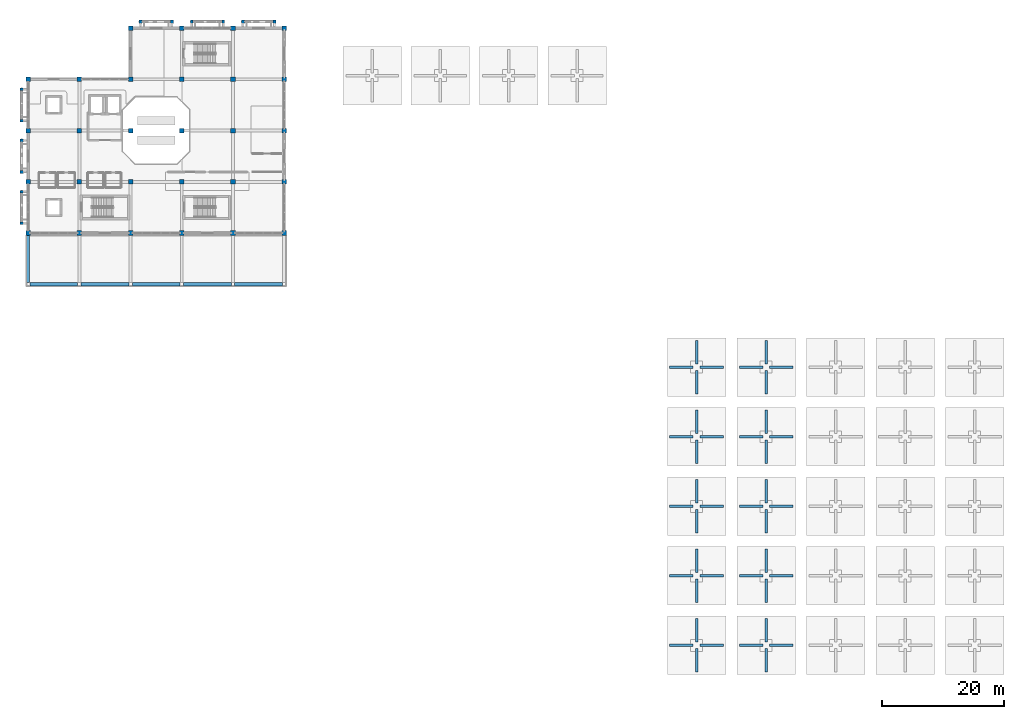
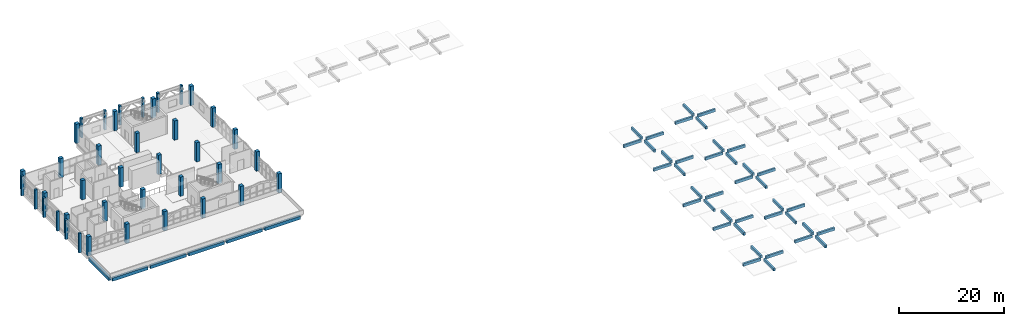
# One storey, part 1 of 30: 46 beams, 40 columns.
"""IFC4 building model written with IfcOpenShell, lengths in metres."""

from ifc_helpers import new_model, si_unit, direction, frame, origin, origin_2d, place, context, subcontext, project, spatial, rectangle, extrude, material, material_profile, profile_set, type_object, element, save


model = new_model("IFC4")

# Units and contexts
model_context = context("Model", 3, precision=1e-05, world=origin(), true_north=direction((0.0, 1.0)))
body_context = subcontext(model_context, "Body", "Model", "MODEL_VIEW")
ifc_project = project(units=[si_unit("LENGTHUNIT", "METRE"), si_unit("AREAUNIT", "SQUARE_METRE"), si_unit("VOLUMEUNIT", "CUBIC_METRE"), si_unit("PLANEANGLEUNIT", "RADIAN"), si_unit("MASSUNIT", "GRAM", prefix="KILO")], contexts=[model_context])

# Site, building, storey
site_placement = place(None, origin())
site = spatial("IfcSite", under=ifc_project, at=site_placement, CompositionType="ELEMENT")
building_placement = place(site_placement, origin())
building = spatial("IfcBuilding", under=site, at=building_placement, Name="Xazarin Passage Department Store", CompositionType="ELEMENT")
storey_placement = place(building_placement, frame((0.0, 0.0, 23.39990234375)))
storey = spatial("IfcBuildingStorey", under=building, at=storey_placement, Name="L05", CompositionType="ELEMENT", Elevation=23.39990234375)

# Columns
ifc_material_1 = material(Name="Concrete C40/50", Category="concrete")
ifc_material_profile_1 = material_profile(ifc_material_1, rectangle(XDim=0.75, YDim=0.75, at=origin_2d()), Name="RC 750x750")
ifc_profile_set_1 = profile_set([ifc_material_profile_1], Name="Concrete C40/50")
column_type_1 = type_object("IfcColumnType", Name="STR-COL-RC750", PredefinedType="COLUMN", material=ifc_profile_set_1)
for number, where, z_axis, x_axis, name in (
    (1, (0.0, 76.39990234375, 0.0), (0.0, 0.0, 1.0), (1.0, 0.0, 0.0), "L05 Column 1/L"),
    (2, (8.39990234375, 76.39990234375, 0.0), (0.0, 0.0, 1.0), (1.0, 0.0, 0.0), "L05 Column 2/L"),
    (3, (16.800048828125, 76.39990234375, 0.0), (0.0, 0.0, 1.0), (1.0, 0.0, 0.0), "L05 Column 3/L"),
    (4, (25.199951171875, 76.39990234375, 0.0), (0.0, 0.0, 1.0), (1.0, 0.0, 0.0), "L05 Column 4/L"),
    (5, (33.60009765625, 76.39990234375, 0.0), (0.0, 0.0, 1.0), (1.0, 0.0, 0.0), "L05 Column 5/L"),
    (6, (42.0, 76.39990234375, 0.0), (0.0, 0.0, 1.0), (1.0, 0.0, 0.0), "L05 Column 6/L"),
    (7, (0.0, 84.800048828125, 0.0), (0.0, 0.0, 1.0), (1.0, 0.0, 0.0), "L05 Column 1/M"),
    (8, (8.39990234375, 84.800048828125, 0.0), (0.0, 0.0, 1.0), (1.0, 0.0, 0.0), "L05 Column 2/M"),
    (9, (16.800048828125, 84.800048828125, 0.0), (0.0, 0.0, 1.0), (1.0, 0.0, 0.0), "L05 Column 3/M"),
    (10, (25.199951171875, 84.800048828125, 0.0), (0.0, 0.0, 1.0), (1.0, 0.0, 0.0), "L05 Column 4/M"),
    (11, (33.60009765625, 84.800048828125, 0.0), (0.0, 0.0, 1.0), (1.0, 0.0, 0.0), "L05 Column 5/M"),
    (12, (42.0, 84.800048828125, 0.0), (0.0, 0.0, 1.0), (1.0, 0.0, 0.0), "L05 Column 6/M"),
    (13, (0.0, 93.199951171875, 0.0), (0.0, 0.0, 1.0), (1.0, 0.0, 0.0), "L05 Column 1/N"),
    (14, (8.39990234375, 93.199951171875, 0.0), (0.0, 0.0, 1.0), (1.0, 0.0, 0.0), "L05 Column 2/N"),
    (15, (16.800048828125, 93.199951171875, 0.0), (0.0, 0.0, 1.0), (1.0, 0.0, 0.0), "L05 Column 3/N"),
    (16, (25.199951171875, 93.199951171875, 0.0), (0.0, 0.0, 1.0), (1.0, 0.0, 0.0), "L05 Column 4/N"),
    (17, (33.60009765625, 93.199951171875, 0.0), (0.0, 0.0, 1.0), (1.0, 0.0, 0.0), "L05 Column 5/N"),
    (18, (42.0, 93.199951171875, 0.0), (0.0, 0.0, 1.0), (1.0, 0.0, 0.0), "L05 Column 6/N"),
    (19, (0.0, 101.60009765625, 0.0), (0.0, 0.0, 1.0), (1.0, 0.0, 0.0), "L05 Column 1/P"),
    (20, (8.39990234375, 101.60009765625, 0.0), (0.0, 0.0, 1.0), (1.0, 0.0, 0.0), "L05 Column 2/P"),
    (21, (16.800048828125, 101.60009765625, 0.0), (0.0, 0.0, 1.0), (1.0, 0.0, 0.0), "L05 Column 3/P"),
    (22, (25.199951171875, 101.60009765625, 0.0), (0.0, 0.0, 1.0), (1.0, 0.0, 0.0), "L05 Column 4/P"),
    (23, (33.60009765625, 101.60009765625, 0.0), (0.0, 0.0, 1.0), (1.0, 0.0, 0.0), "L05 Column 5/P"),
    (24, (42.0, 101.60009765625, 0.0), (0.0, 0.0, 1.0), (1.0, 0.0, 0.0), "L05 Column 6/P"),
    (25, (16.800048828125, 110.0, 0.0), (0.0, 0.0, 1.0), (1.0, 0.0, 0.0), "L05 Column 3/Q"),
    (26, (25.199951171875, 110.0, 0.0), (0.0, 0.0, 1.0), (1.0, 0.0, 0.0), "L05 Column 4/Q"),
    (27, (33.60009765625, 110.0, 0.0), (0.0, 0.0, 1.0), (1.0, 0.0, 0.0), "L05 Column 5/Q"),
    (28, (42.0, 110.0, 0.0), (0.0, 0.0, 1.0), (1.0, 0.0, 0.0), "L05 Column 6/Q"),
):
    element("IfcColumn", number, at=place(storey_placement, frame(where, z_axis=z_axis, x_axis=x_axis)), inside=storey, type_object=column_type_1, Name=name, PredefinedType="COLUMN", context=body_context, shape_type="SweptSolid", body=[
        extrude(rectangle(XDim=0.75, YDim=0.75, at=origin_2d()), origin(), (0.0, 0.0, 1.0), 4.5),
    ])
ifc_material_profile_2 = material_profile(ifc_material_1, rectangle(XDim=0.449951171875, YDim=0.550048828125, at=origin_2d()), Name="RC 450x550")
ifc_profile_set_2 = profile_set([ifc_material_profile_2], Name="Concrete C40/50")
column_type_2 = type_object("IfcColumnType", Name="STR-PIL-RC450", PredefinedType="PILASTER", material=ifc_profile_set_2)
for number, where, z_axis, x_axis, name in (
    (29, (18.419921875, 111.050048828125, 0.0), (0.0, 0.0, 1.0), (1.0, 0.0, 0.0), "L05 V1 Pierced-Arch Colonnade Pier 001L"),
    (30, (23.580078125, 111.050048828125, 0.0), (0.0, 0.0, 1.0), (1.0, 0.0, 0.0), "L05 V1 Pierced-Arch Colonnade Pier 001R"),
    (31, (26.820068359375, 111.050048828125, 0.0), (0.0, 0.0, 1.0), (1.0, 0.0, 0.0), "L05 V1 Pierced-Arch Colonnade Pier 002L"),
    (32, (31.97998046875, 111.050048828125, 0.0), (0.0, 0.0, 1.0), (1.0, 0.0, 0.0), "L05 V1 Pierced-Arch Colonnade Pier 002R"),
    (33, (35.219970703125, 111.050048828125, 0.0), (0.0, 0.0, 1.0), (1.0, 0.0, 0.0), "L05 V1 Pierced-Arch Colonnade Pier 003L"),
    (34, (40.3798828125, 111.050048828125, 0.0), (0.0, 0.0, 1.0), (1.0, 0.0, 0.0), "L05 V1 Pierced-Arch Colonnade Pier 003R"),
    (35, (-1.050048828125, 78.02001953125, 0.0), (0.0, 0.0, 1.0), (0.0, 1.0, 0.0), "L05 V1 Pierced-Arch Colonnade Pier 011L"),
    (36, (-1.050048828125, 83.179931640625, 0.0), (0.0, 0.0, 1.0), (0.0, 1.0, 0.0), "L05 V1 Pierced-Arch Colonnade Pier 011R"),
    (37, (-1.050048828125, 86.419921875, 0.0), (0.0, 0.0, 1.0), (0.0, 1.0, 0.0), "L05 V1 Pierced-Arch Colonnade Pier 012L"),
    (38, (-1.050048828125, 91.580078125, 0.0), (0.0, 0.0, 1.0), (0.0, 1.0, 0.0), "L05 V1 Pierced-Arch Colonnade Pier 012R"),
    (39, (-1.050048828125, 94.820068359375, 0.0), (0.0, 0.0, 1.0), (0.0, 1.0, 0.0), "L05 V1 Pierced-Arch Colonnade Pier 013L"),
    (40, (-1.050048828125, 99.97998046875, 0.0), (0.0, 0.0, 1.0), (0.0, 1.0, 0.0), "L05 V1 Pierced-Arch Colonnade Pier 013R"),
):
    element("IfcColumn", number, at=place(storey_placement, frame(where, z_axis=z_axis, x_axis=x_axis)), inside=storey, type_object=column_type_2, Name=name, PredefinedType="PILASTER", context=body_context, shape_type="SweptSolid", body=[
        extrude(rectangle(XDim=0.449951171875, YDim=0.550048828125, at=origin_2d()), origin(), (0.0, 0.0, 1.0), 4.5),
    ])

# Beams
ifc_material_2 = material(Name="Concrete C35/45", Category="concrete")
ifc_material_profile_3 = material_profile(ifc_material_2, rectangle(XDim=0.5, YDim=0.75, at=origin_2d()), Name="RC 500x750")
ifc_profile_set_3 = profile_set([ifc_material_profile_3], Name="Concrete C35/45")
beam_type_1 = type_object("IfcBeamType", Name="STR-BM-SP500x750", PredefinedType="SPANDREL", material=ifc_profile_set_3)
for number, where, z_axis, x_axis, name in (
    (41, (0.280029296875, 68.0, -0.6748046875), (1.0, 0.0, 0.0), (0.0, 1.0, 0.0), "L05 Grid Beam K/1-2"),
    (42, (8.679931640625, 68.0, -0.6748046875), (1.0, 0.0, 0.0), (0.0, 1.0, 0.0), "L05 Grid Beam K/2-3"),
):
    element("IfcBeam", number, at=place(storey_placement, frame(where, z_axis=z_axis, x_axis=x_axis)), inside=storey, type_object=beam_type_1, Name=name, PredefinedType="SPANDREL", context=body_context, shape_type="SweptSolid", body=[
        extrude(rectangle(XDim=0.5, YDim=0.75, at=origin_2d()), origin(), (0.0, 0.0, 1.0), 7.840087890625),
    ])
beam_1_placement = place(storey_placement, frame((17.080078125, 68.0, -0.6748046875), z_axis=(1.0, 0.0, 0.0), x_axis=(0.0, 1.0, 0.0)))
element("IfcBeam", 43, at=beam_1_placement, inside=storey, type_object=beam_type_1, Name="L05 Grid Beam K/3-4", PredefinedType="SPANDREL", context=body_context, shape_type="SweptSolid", body=[
    extrude(rectangle(XDim=0.5, YDim=0.75, at=origin_2d()), origin(), (0.0, 0.0, 1.0), 7.83984375),
])
for number, where, z_axis, x_axis, name in (
    (44, (25.47998046875, 68.0, -0.6748046875), (1.0, 0.0, 0.0), (0.0, 1.0, 0.0), "L05 Grid Beam K/4-5"),
    (45, (33.8798828125, 68.0, -0.6748046875), (1.0, 0.0, 0.0), (0.0, 1.0, 0.0), "L05 Grid Beam K/5-6"),
    (46, (0.0, 68.280029296875, -0.6748046875), (0.0, 1.0, 0.0), (-1.0, 0.0, 0.0), "L05 Grid Beam 1/K-L"),
):
    element("IfcBeam", number, at=place(storey_placement, frame(where, z_axis=z_axis, x_axis=x_axis)), inside=storey, type_object=beam_type_1, Name=name, PredefinedType="SPANDREL", context=body_context, shape_type="SweptSolid", body=[
        extrude(rectangle(XDim=0.5, YDim=0.75, at=origin_2d()), origin(), (0.0, 0.0, 1.0), 7.840087890625),
    ])
ifc_material_profile_4 = material_profile(ifc_material_1, rectangle(XDim=0.39990234375, YDim=0.64990234375, at=origin_2d()), Name="RC 400x650")
ifc_profile_set_4 = profile_set([ifc_material_profile_4], Name="Concrete C40/50")
beam_type_2 = type_object("IfcBeamType", Name="STR-BM-UMB400x650", PredefinedType="BEAM", material=ifc_profile_set_4)
for number, where, z_axis, x_axis, name in (
    (47, (110.14990234375, 8.800048828125, 1.85498046875), (1.0, 0.0, 0.0), (0.0, 1.0, 0.0), "Umbrella UM5 Cantilever Rib E"),
    (48, (109.050048828125, 8.800048828125, 1.85498046875), (-1.0, 0.0, 0.0), (0.0, -1.0, 0.0), "Umbrella UM5 Cantilever Rib W"),
):
    element("IfcBeam", number, at=place(storey_placement, frame(where, z_axis=z_axis, x_axis=x_axis)), inside=storey, type_object=beam_type_2, Name=name, PredefinedType="BEAM", context=body_context, shape_type="SweptSolid", body=[
        extrude(rectangle(XDim=0.39990234375, YDim=0.64990234375, at=origin_2d()), origin(), (0.0, 0.0, 1.0), 3.85009765625),
    ])
beam_2_placement = place(storey_placement, frame((109.60009765625, 9.35009765625, 1.85498046875), z_axis=(0.0, 1.0, 0.0), x_axis=(-1.0, 0.0, 0.0)))
element("IfcBeam", 49, at=beam_2_placement, inside=storey, type_object=beam_type_2, Name="Umbrella UM5 Cantilever Rib N", PredefinedType="BEAM", context=body_context, shape_type="SweptSolid", body=[
    extrude(rectangle(XDim=0.39990234375, YDim=0.64990234375, at=origin_2d()), origin(), (0.0, 0.0, 1.0), 3.849853515625),
])
beam_3_placement = place(storey_placement, frame((109.60009765625, 8.25, 1.85498046875), z_axis=(0.0, -1.0, 0.0), x_axis=(1.0, 0.0, 0.0)))
element("IfcBeam", 50, at=beam_3_placement, inside=storey, type_object=beam_type_2, Name="Umbrella UM5 Cantilever Rib S", PredefinedType="BEAM", context=body_context, shape_type="SweptSolid", body=[
    extrude(rectangle(XDim=0.39990234375, YDim=0.64990234375, at=origin_2d()), origin(), (0.0, 0.0, 1.0), 3.85009765625),
])
for number, where, z_axis, x_axis, name in (
    (51, (121.550048828125, 8.800048828125, 3.255126953125), (1.0, 0.0, 0.0), (0.0, 1.0, 0.0), "Umbrella UM6 Cantilever Rib E"),
    (52, (120.449951171875, 8.800048828125, 3.255126953125), (-1.0, 0.0, 0.0), (0.0, -1.0, 0.0), "Umbrella UM6 Cantilever Rib W"),
    (53, (121.0, 9.35009765625, 3.255126953125), (0.0, 1.0, 0.0), (-1.0, 0.0, 0.0), "Umbrella UM6 Cantilever Rib N"),
):
    element("IfcBeam", number, at=place(storey_placement, frame(where, z_axis=z_axis, x_axis=x_axis)), inside=storey, type_object=beam_type_2, Name=name, PredefinedType="BEAM", context=body_context, shape_type="SweptSolid", body=[
        extrude(rectangle(XDim=0.39990234375, YDim=0.64990234375, at=origin_2d()), origin(), (0.0, 0.0, 1.0), 3.849853515625),
    ])
for number, where, z_axis, x_axis, name in (
    (54, (121.0, 8.25, 3.255126953125), (0.0, -1.0, 0.0), (1.0, 0.0, 0.0), "Umbrella UM6 Cantilever Rib S"),
    (55, (110.14990234375, 20.199951171875, 3.255126953125), (1.0, 0.0, 0.0), (0.0, 1.0, 0.0), "Umbrella UM10 Cantilever Rib E"),
    (56, (109.050048828125, 20.199951171875, 3.255126953125), (-1.0, 0.0, 0.0), (0.0, -1.0, 0.0), "Umbrella UM10 Cantilever Rib W"),
    (57, (109.60009765625, 20.75, 3.255126953125), (0.0, 1.0, 0.0), (-1.0, 0.0, 0.0), "Umbrella UM10 Cantilever Rib N"),
):
    element("IfcBeam", number, at=place(storey_placement, frame(where, z_axis=z_axis, x_axis=x_axis)), inside=storey, type_object=beam_type_2, Name=name, PredefinedType="BEAM", context=body_context, shape_type="SweptSolid", body=[
        extrude(rectangle(XDim=0.39990234375, YDim=0.64990234375, at=origin_2d()), origin(), (0.0, 0.0, 1.0), 3.85009765625),
    ])
for number, where, z_axis, x_axis, name in (
    (58, (109.60009765625, 19.64990234375, 3.255126953125), (0.0, -1.0, 0.0), (1.0, 0.0, 0.0), "Umbrella UM10 Cantilever Rib S"),
    (59, (121.550048828125, 20.199951171875, 1.85498046875), (1.0, 0.0, 0.0), (0.0, 1.0, 0.0), "Umbrella UM11 Cantilever Rib E"),
    (60, (120.449951171875, 20.199951171875, 1.85498046875), (-1.0, 0.0, 0.0), (0.0, -1.0, 0.0), "Umbrella UM11 Cantilever Rib W"),
):
    element("IfcBeam", number, at=place(storey_placement, frame(where, z_axis=z_axis, x_axis=x_axis)), inside=storey, type_object=beam_type_2, Name=name, PredefinedType="BEAM", context=body_context, shape_type="SweptSolid", body=[
        extrude(rectangle(XDim=0.39990234375, YDim=0.64990234375, at=origin_2d()), origin(), (0.0, 0.0, 1.0), 3.849853515625),
    ])
beam_4_placement = place(storey_placement, frame((121.0, 20.75, 1.85498046875), z_axis=(0.0, 1.0, 0.0), x_axis=(-1.0, 0.0, 0.0)))
element("IfcBeam", 61, at=beam_4_placement, inside=storey, type_object=beam_type_2, Name="Umbrella UM11 Cantilever Rib N", PredefinedType="BEAM", context=body_context, shape_type="SweptSolid", body=[
    extrude(rectangle(XDim=0.39990234375, YDim=0.64990234375, at=origin_2d()), origin(), (0.0, 0.0, 1.0), 3.85009765625),
])
beam_5_placement = place(storey_placement, frame((121.0, 19.64990234375, 1.85498046875), z_axis=(0.0, -1.0, 0.0), x_axis=(1.0, 0.0, 0.0)))
element("IfcBeam", 62, at=beam_5_placement, inside=storey, type_object=beam_type_2, Name="Umbrella UM11 Cantilever Rib S", PredefinedType="BEAM", context=body_context, shape_type="SweptSolid", body=[
    extrude(rectangle(XDim=0.39990234375, YDim=0.64990234375, at=origin_2d()), origin(), (0.0, 0.0, 1.0), 3.849853515625),
])
for number, where, z_axis, x_axis, name in (
    (63, (110.14990234375, 31.60009765625, 1.85498046875), (1.0, 0.0, 0.0), (0.0, 1.0, 0.0), "Umbrella UM15 Cantilever Rib E"),
    (64, (109.050048828125, 31.60009765625, 1.85498046875), (-1.0, 0.0, 0.0), (0.0, -1.0, 0.0), "Umbrella UM15 Cantilever Rib W"),
    (65, (109.60009765625, 32.14990234375, 1.85498046875), (0.0, 1.0, 0.0), (-1.0, 0.0, 0.0), "Umbrella UM15 Cantilever Rib N"),
    (66, (109.60009765625, 31.050048828125, 1.85498046875), (0.0, -1.0, 0.0), (1.0, 0.0, 0.0), "Umbrella UM15 Cantilever Rib S"),
):
    element("IfcBeam", number, at=place(storey_placement, frame(where, z_axis=z_axis, x_axis=x_axis)), inside=storey, type_object=beam_type_2, Name=name, PredefinedType="BEAM", context=body_context, shape_type="SweptSolid", body=[
        extrude(rectangle(XDim=0.39990234375, YDim=0.64990234375, at=origin_2d()), origin(), (0.0, 0.0, 1.0), 3.85009765625),
    ])
for number, where, z_axis, x_axis, name in (
    (67, (121.550048828125, 31.60009765625, 3.255126953125), (1.0, 0.0, 0.0), (0.0, 1.0, 0.0), "Umbrella UM16 Cantilever Rib E"),
    (68, (120.449951171875, 31.60009765625, 3.255126953125), (-1.0, 0.0, 0.0), (0.0, -1.0, 0.0), "Umbrella UM16 Cantilever Rib W"),
):
    element("IfcBeam", number, at=place(storey_placement, frame(where, z_axis=z_axis, x_axis=x_axis)), inside=storey, type_object=beam_type_2, Name=name, PredefinedType="BEAM", context=body_context, shape_type="SweptSolid", body=[
        extrude(rectangle(XDim=0.39990234375, YDim=0.64990234375, at=origin_2d()), origin(), (0.0, 0.0, 1.0), 3.849853515625),
    ])
for number, where, z_axis, x_axis, name in (
    (69, (121.0, 32.14990234375, 3.255126953125), (0.0, 1.0, 0.0), (-1.0, 0.0, 0.0), "Umbrella UM16 Cantilever Rib N"),
    (70, (121.0, 31.050048828125, 3.255126953125), (0.0, -1.0, 0.0), (1.0, 0.0, 0.0), "Umbrella UM16 Cantilever Rib S"),
    (71, (110.14990234375, 43.0, 3.255126953125), (1.0, 0.0, 0.0), (0.0, 1.0, 0.0), "Umbrella UM20 Cantilever Rib E"),
    (72, (109.050048828125, 43.0, 3.255126953125), (-1.0, 0.0, 0.0), (0.0, -1.0, 0.0), "Umbrella UM20 Cantilever Rib W"),
):
    element("IfcBeam", number, at=place(storey_placement, frame(where, z_axis=z_axis, x_axis=x_axis)), inside=storey, type_object=beam_type_2, Name=name, PredefinedType="BEAM", context=body_context, shape_type="SweptSolid", body=[
        extrude(rectangle(XDim=0.39990234375, YDim=0.64990234375, at=origin_2d()), origin(), (0.0, 0.0, 1.0), 3.85009765625),
    ])
for number, where, z_axis, x_axis, name in (
    (73, (109.60009765625, 43.550048828125, 3.255126953125), (0.0, 1.0, 0.0), (-1.0, 0.0, 0.0), "Umbrella UM20 Cantilever Rib N"),
    (74, (109.60009765625, 42.449951171875, 3.255126953125), (0.0, -1.0, 0.0), (1.0, 0.0, 0.0), "Umbrella UM20 Cantilever Rib S"),
    (75, (121.550048828125, 43.0, 1.85498046875), (1.0, 0.0, 0.0), (0.0, 1.0, 0.0), "Umbrella UM21 Cantilever Rib E"),
    (76, (120.449951171875, 43.0, 1.85498046875), (-1.0, 0.0, 0.0), (0.0, -1.0, 0.0), "Umbrella UM21 Cantilever Rib W"),
    (77, (121.0, 43.550048828125, 1.85498046875), (0.0, 1.0, 0.0), (-1.0, 0.0, 0.0), "Umbrella UM21 Cantilever Rib N"),
    (78, (121.0, 42.449951171875, 1.85498046875), (0.0, -1.0, 0.0), (1.0, 0.0, 0.0), "Umbrella UM21 Cantilever Rib S"),
):
    element("IfcBeam", number, at=place(storey_placement, frame(where, z_axis=z_axis, x_axis=x_axis)), inside=storey, type_object=beam_type_2, Name=name, PredefinedType="BEAM", context=body_context, shape_type="SweptSolid", body=[
        extrude(rectangle(XDim=0.39990234375, YDim=0.64990234375, at=origin_2d()), origin(), (0.0, 0.0, 1.0), 3.849853515625),
    ])
for number, where, z_axis, x_axis, name in (
    (79, (110.14990234375, 54.39990234375, 1.85498046875), (1.0, 0.0, 0.0), (0.0, 1.0, 0.0), "Umbrella UM25 Cantilever Rib E"),
    (80, (109.050048828125, 54.39990234375, 1.85498046875), (-1.0, 0.0, 0.0), (0.0, -1.0, 0.0), "Umbrella UM25 Cantilever Rib W"),
    (81, (109.60009765625, 54.949951171875, 1.85498046875), (0.0, 1.0, 0.0), (-1.0, 0.0, 0.0), "Umbrella UM25 Cantilever Rib N"),
    (82, (109.60009765625, 53.85009765625, 1.85498046875), (0.0, -1.0, 0.0), (1.0, 0.0, 0.0), "Umbrella UM25 Cantilever Rib S"),
):
    element("IfcBeam", number, at=place(storey_placement, frame(where, z_axis=z_axis, x_axis=x_axis)), inside=storey, type_object=beam_type_2, Name=name, PredefinedType="BEAM", context=body_context, shape_type="SweptSolid", body=[
        extrude(rectangle(XDim=0.39990234375, YDim=0.64990234375, at=origin_2d()), origin(), (0.0, 0.0, 1.0), 3.85009765625),
    ])
for number, where, z_axis, x_axis, name in (
    (83, (121.550048828125, 54.39990234375, 3.255126953125), (1.0, 0.0, 0.0), (0.0, 1.0, 0.0), "Umbrella UM26 Cantilever Rib E"),
    (84, (120.449951171875, 54.39990234375, 3.255126953125), (-1.0, 0.0, 0.0), (0.0, -1.0, 0.0), "Umbrella UM26 Cantilever Rib W"),
):
    element("IfcBeam", number, at=place(storey_placement, frame(where, z_axis=z_axis, x_axis=x_axis)), inside=storey, type_object=beam_type_2, Name=name, PredefinedType="BEAM", context=body_context, shape_type="SweptSolid", body=[
        extrude(rectangle(XDim=0.39990234375, YDim=0.64990234375, at=origin_2d()), origin(), (0.0, 0.0, 1.0), 3.849853515625),
    ])
for number, where, z_axis, x_axis, name in (
    (85, (121.0, 54.949951171875, 3.255126953125), (0.0, 1.0, 0.0), (-1.0, 0.0, 0.0), "Umbrella UM26 Cantilever Rib N"),
    (86, (121.0, 53.85009765625, 3.255126953125), (0.0, -1.0, 0.0), (1.0, 0.0, 0.0), "Umbrella UM26 Cantilever Rib S"),
):
    element("IfcBeam", number, at=place(storey_placement, frame(where, z_axis=z_axis, x_axis=x_axis)), inside=storey, type_object=beam_type_2, Name=name, PredefinedType="BEAM", context=body_context, shape_type="SweptSolid", body=[
        extrude(rectangle(XDim=0.39990234375, YDim=0.64990234375, at=origin_2d()), origin(), (0.0, 0.0, 1.0), 3.85009765625),
    ])

save(model, "model.ifc")
